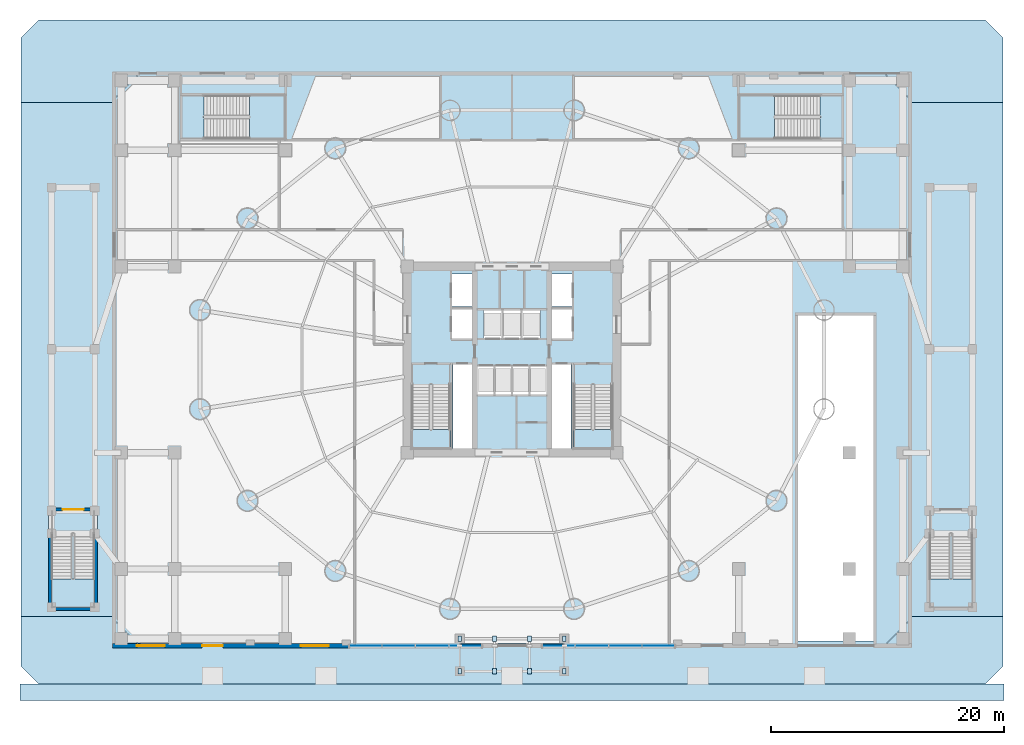
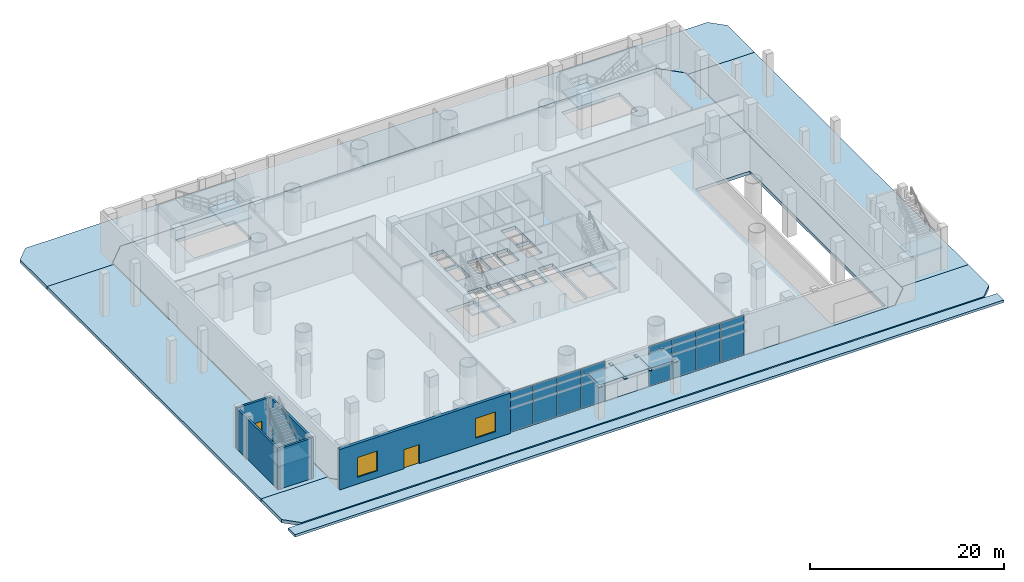
# One storey, part 8 of 25: 19 plates, 12 slabs, 5 walls, 2 doors, 2 windows, 4 openings, 8 elements without a shape of their own.
"""IFC4 building model written with IfcOpenShell, lengths in metres."""

from ifc_helpers import new_model, si_unit, direction, frame, frame_2d, origin, origin_2d, place, context, subcontext, project, spatial, polyline, rectangle, outline, extrude, source, transform, mapped, material, layer, layer_set, type_object, element, fill, aggregate, save


model = new_model("IFC4")

# Units and contexts
model_context = context("Model", 3, precision=1e-05, world=origin(), true_north=direction((-0.2419218956, 0.970295726276)))
body_context = subcontext(model_context, "Body", "Model", "MODEL_VIEW")
ifc_project = project(units=[si_unit("LENGTHUNIT", "METRE"), si_unit("AREAUNIT", "SQUARE_METRE"), si_unit("VOLUMEUNIT", "CUBIC_METRE"), si_unit("PLANEANGLEUNIT", "RADIAN"), si_unit("MASSUNIT", "GRAM", prefix="KILO")], contexts=[model_context])

# Site, building, storey
site_placement = place(None, origin())
site = spatial("IfcSite", under=ifc_project, at=site_placement, CompositionType="ELEMENT")
building_placement = place(site_placement, origin())
building = spatial("IfcBuilding", under=site, at=building_placement, Name="Cobrevalo Terracotta Tower", CompositionType="ELEMENT")
storey_placement = place(building_placement, origin())
storey = spatial("IfcBuildingStorey", under=building, at=storey_placement, Name="L00", CompositionType="ELEMENT", Elevation=0.0)

# Slab
ifc_material_1 = material(Name="Concrete C50", Category="concrete")
ifc_layer_1 = layer(ifc_material_1, 0.419921875)
ifc_layer_set_1 = layer_set([ifc_layer_1], Name="Concrete C50")
slab_type_1 = type_object("IfcSlabType", Name="L00 arrival structural transfer slab 420 mm", PredefinedType="FLOOR", material=ifc_layer_set_1)
slab_1_placement = place(storey_placement, frame((0.0, 0.0, -0.419921875)))
element("IfcSlab", 1, at=slab_1_placement, inside=storey, type_object=slab_type_1, Name="L00 podium indoor floor slab", PredefinedType="FLOOR", context=body_context, shape_type="SweptSolid", body=[
    extrude(outline(polyline([(3.800048828125, 4.39990234375), (3.800048828125, 49.199951171875), (6.0, 51.39990234375), (70.0, 51.39990234375), (72.199951171875, 49.199951171875), (72.199951171875, 4.39990234375), (70.0, 2.199951171875), (6.0, 2.199951171875), (3.800048828125, 4.39990234375)]), holes=[polyline([(29.375, 19.175048828125), (32.695068359375, 19.175048828125), (32.695068359375, 24.659912109375), (29.375, 24.659912109375), (29.375, 19.175048828125)]), polyline([(34.574951171875, 19.175048828125), (34.574951171875, 26.360107421875), (32.919921875, 26.360107421875), (32.919921875, 19.175048828125), (34.574951171875, 19.175048828125)]), polyline([(36.47998046875, 23.800048828125), (36.47998046875, 26.25), (35.050048828125, 26.25), (35.050048828125, 23.800048828125), (36.47998046875, 23.800048828125)]), polyline([(37.9599609375, 23.800048828125), (37.9599609375, 26.25), (36.530029296875, 26.25), (36.530029296875, 23.800048828125), (37.9599609375, 23.800048828125)]), polyline([(37.1201171875, 28.60009765625), (37.1201171875, 31.050048828125), (35.550048828125, 31.050048828125), (35.550048828125, 28.60009765625), (37.1201171875, 28.60009765625)]), polyline([(38.780029296875, 28.60009765625), (38.780029296875, 31.050048828125), (37.219970703125, 31.050048828125), (37.219970703125, 28.60009765625), (38.780029296875, 28.60009765625)]), polyline([(34.550048828125, 28.60009765625), (34.550048828125, 31.10009765625), (32.85009765625, 31.10009765625), (32.85009765625, 28.60009765625), (34.550048828125, 28.60009765625)]), polyline([(32.85009765625, 31.35009765625), (34.550048828125, 31.35009765625), (34.550048828125, 34.14990234375), (32.85009765625, 34.14990234375), (32.85009765625, 31.35009765625)]), polyline([(11.5400390625, 45.800048828125), (18.449951171875, 45.800048828125), (18.449951171875, 49.52001953125), (11.5400390625, 49.52001953125), (11.5400390625, 45.800048828125)]), polyline([(69.10009765625, 2.60009765625), (69.10009765625, 30.60009765625), (62.60009765625, 30.60009765625), (62.60009765625, 2.60009765625), (69.10009765625, 2.60009765625)]), polyline([(43.304931640625, 19.175048828125), (46.625, 19.175048828125), (46.625, 24.659912109375), (43.304931640625, 24.659912109375), (43.304931640625, 19.175048828125)]), polyline([(43.080078125, 19.175048828125), (43.080078125, 26.360107421875), (41.425048828125, 26.360107421875), (41.425048828125, 19.175048828125), (43.080078125, 19.175048828125)]), polyline([(39.469970703125, 23.800048828125), (39.469970703125, 26.25), (38.0400390625, 26.25), (38.0400390625, 23.800048828125), (39.469970703125, 23.800048828125)]), polyline([(40.949951171875, 23.800048828125), (40.949951171875, 26.25), (39.52001953125, 26.25), (39.52001953125, 23.800048828125), (40.949951171875, 23.800048828125)]), polyline([(40.449951171875, 28.60009765625), (40.449951171875, 31.050048828125), (38.8798828125, 31.050048828125), (38.8798828125, 28.60009765625), (40.449951171875, 28.60009765625)]), polyline([(43.14990234375, 28.60009765625), (43.14990234375, 31.10009765625), (41.449951171875, 31.10009765625), (41.449951171875, 28.60009765625), (43.14990234375, 28.60009765625)]), polyline([(41.449951171875, 31.35009765625), (43.14990234375, 31.35009765625), (43.14990234375, 34.14990234375), (41.449951171875, 34.14990234375), (41.449951171875, 31.35009765625)]), polyline([(64.4599609375, 49.52001953125), (57.550048828125, 49.52001953125), (57.550048828125, 45.800048828125), (64.4599609375, 45.800048828125), (64.4599609375, 49.52001953125)])]), origin(), (0.0, 0.0, 1.0), 0.419921875),
])

# Stair, slab
stair_type_1 = type_object("IfcStairType", Name="Core protected escape dogleg stair 1600", PredefinedType="HALF_TURN_STAIR", material=ifc_material_1)
stair_1_placement = place(storey_placement, origin())
stair_1 = element("IfcStair", 2, at=stair_1_placement, inside=storey, type_object=stair_type_1, Name="L00 Protected exit stair ST-1", PredefinedType="HALF_TURN_STAIR")
ifc_layer_2 = layer(ifc_material_1, 0.199951171875)
ifc_layer_set_2 = layer_set([ifc_layer_2], Name="Concrete C50")
slab_type_2 = type_object("IfcSlabType", Name="Reinforced Concrete Stair Landing 200", PredefinedType="LANDING", material=ifc_layer_set_2)
slab_2_placement = place(storey_placement, frame((0.0, 0.0, 2.5)))
slab_2 = element("IfcSlab", 3, at=slab_2_placement, type_object=slab_type_2, Name="ST-1 landing 1", PredefinedType="LANDING", context=body_context, shape_type="SweptSolid", body=[
    extrude(outline(polyline([(29.375, 20.780029296875), (29.375, 19.175048828125), (32.695068359375, 19.175048828125), (32.695068359375, 20.780029296875), (29.375, 20.780029296875)])), origin(), (0.0, 0.0, 1.0), 0.199951171875),
])
aggregate(stair_1, [slab_2])

stair_2_placement = place(storey_placement, origin())
stair_2 = element("IfcStair", 4, at=stair_2_placement, inside=storey, type_object=stair_type_1, Name="L00 Protected exit stair ST-2", PredefinedType="HALF_TURN_STAIR")
slab_3_placement = place(storey_placement, frame((0.0, 0.0, 2.5)))
slab_3 = element("IfcSlab", 5, at=slab_3_placement, type_object=slab_type_2, Name="ST-2 landing 1", PredefinedType="LANDING", context=body_context, shape_type="SweptSolid", body=[
    extrude(outline(polyline([(43.304931640625, 20.780029296875), (43.304931640625, 19.175048828125), (46.625, 19.175048828125), (46.625, 20.780029296875), (43.304931640625, 20.780029296875)])), origin(), (0.0, 0.0, 1.0), 0.199951171875),
])
aggregate(stair_2, [slab_3])

stair_type_2 = type_object("IfcStairType", Name="Podium concourse escape dogleg stair 1800", PredefinedType="HALF_TURN_STAIR", material=ifc_material_1)
stair_3_placement = place(storey_placement, origin())
stair_3 = element("IfcStair", 6, at=stair_3_placement, inside=storey, type_object=stair_type_2, Name="L00 Protected exit stair ST-P1", PredefinedType="HALF_TURN_STAIR")
slab_4_placement = place(storey_placement, frame((0.0, 0.0, 2.5)))
slab_4 = element("IfcSlab", 7, at=slab_4_placement, type_object=slab_type_2, Name="ST-P1 landing 1", PredefinedType="LANDING", context=body_context, shape_type="SweptSolid", body=[
    extrude(outline(polyline([(15.419921875, 45.800048828125), (18.449951171875, 45.800048828125), (18.449951171875, 49.52001953125), (15.419921875, 49.52001953125), (15.419921875, 45.800048828125)])), origin(), (0.0, 0.0, 1.0), 0.199951171875),
])
aggregate(stair_3, [slab_4])

stair_4_placement = place(storey_placement, origin())
stair_4 = element("IfcStair", 8, at=stair_4_placement, inside=storey, type_object=stair_type_2, Name="L00 Protected exit stair ST-P2", PredefinedType="HALF_TURN_STAIR")
slab_5_placement = place(storey_placement, frame((0.0, 0.0, 2.5)))
slab_5 = element("IfcSlab", 9, at=slab_5_placement, type_object=slab_type_2, Name="ST-P2 landing 1", PredefinedType="LANDING", context=body_context, shape_type="SweptSolid", body=[
    extrude(outline(polyline([(60.580078125, 49.52001953125), (57.550048828125, 49.52001953125), (57.550048828125, 45.800048828125), (60.580078125, 45.800048828125), (60.580078125, 49.52001953125)])), origin(), (0.0, 0.0, 1.0), 0.199951171875),
])
aggregate(stair_4, [slab_5])

ifc_material_2 = material(Name="Precast concrete C45", Category="concrete")
stair_type_3 = type_object("IfcStairType", Name="Monumental raised-garden dogleg stair 1850", PredefinedType="HALF_TURN_STAIR", material=ifc_material_2)
stair_5_placement = place(storey_placement, origin())
stair_5 = element("IfcStair", 10, at=stair_5_placement, inside=storey, type_object=stair_type_3, Name="L00 West monumental raised-garden stair", PredefinedType="HALF_TURN_STAIR")
slab_6_placement = place(storey_placement, frame((0.0, 0.0, 2.5)))
slab_6 = element("IfcSlab", 11, at=slab_6_placement, type_object=slab_type_2, Name="ST-EXT-W landing 1", PredefinedType="LANDING", context=body_context, shape_type="SweptSolid", body=[
    extrude(outline(polyline([(-1.60009765625, 7.929931640625), (-1.60009765625, 5.5), (2.1201171875, 5.5), (2.1201171875, 7.929931640625), (-1.60009765625, 7.929931640625)])), origin(), (0.0, 0.0, 1.0), 0.199951171875),
])
aggregate(stair_5, [slab_6])

stair_6_placement = place(storey_placement, origin())
stair_6 = element("IfcStair", 12, at=stair_6_placement, inside=storey, type_object=stair_type_3, Name="L00 East monumental raised-garden stair", PredefinedType="HALF_TURN_STAIR")
slab_7_placement = place(storey_placement, frame((0.0, 0.0, 2.5)))
slab_7 = element("IfcSlab", 13, at=slab_7_placement, type_object=slab_type_2, Name="ST-EXT-E landing 1", PredefinedType="LANDING", context=body_context, shape_type="SweptSolid", body=[
    extrude(outline(polyline([(73.8798828125, 7.929931640625), (73.8798828125, 5.5), (77.60009765625, 5.5), (77.60009765625, 7.929931640625), (73.8798828125, 7.929931640625)])), origin(), (0.0, 0.0, 1.0), 0.199951171875),
])
aggregate(stair_6, [slab_7])

# Slabs
ifc_layer_3 = layer(ifc_material_1, 0.300048828125)
ifc_layer_set_3 = layer_set([ifc_layer_3], Name="Concrete C50")
slab_type_3 = type_object("IfcSlabType", Name="South street sidewalk structural paving apron 300 mm", PredefinedType="USERDEFINED", material=ifc_layer_set_3)
slab_8_placement = place(storey_placement, frame((0.0, 0.0, -0.419921875)))
element("IfcSlab", 14, at=slab_8_placement, inside=storey, type_object=slab_type_3, Name="L00 south street sidewalk apron slab", ObjectType="PAVING", PredefinedType="USERDEFINED", context=body_context, shape_type="SweptSolid", body=[
    extrude(outline(polyline([(-4.300048828125, -2.5), (80.300048828125, -2.5), (80.300048828125, -1.10009765625), (-4.300048828125, -1.10009765625), (-4.300048828125, -2.5)])), origin(), (0.0, 0.0, 1.0), 0.2998046875),
])
ifc_layer_4 = layer(ifc_material_1, 0.419921875)
ifc_layer_set_4 = layer_set([ifc_layer_4], Name="Concrete C50")
slab_type_4 = type_object("IfcSlabType", Name="Street plaza & driveway structural paving deck 420 mm", PredefinedType="USERDEFINED", material=ifc_layer_set_4)
slab_9_placement = place(storey_placement, frame((0.0, 0.0, -0.419921875)))
element("IfcSlab", 15, at=slab_9_placement, inside=storey, type_object=slab_type_4, Name="L00 street plaza and driveway apron paving PV-S", ObjectType="PAVING", PredefinedType="USERDEFINED", context=body_context, shape_type="SweptSolid", body=[
    extrude(outline(polyline([(-4.199951171875, 4.699951171875), (3.780029296875, 4.699951171875), (3.780029296875, 4.3798828125), (5.97998046875, 2.179931640625), (70.02001953125, 2.179931640625), (72.219970703125, 4.3798828125), (72.219970703125, 4.699951171875), (80.199951171875, 4.699951171875), (80.199951171875, 0.419921875), (78.699951171875, -1.080078125), (-2.699951171875, -1.080078125), (-4.199951171875, 0.419921875), (-4.199951171875, 4.699951171875)])), origin(), (0.0, 0.0, 1.0), 0.419921875),
])
slab_10_placement = place(storey_placement, frame((0.0, 0.0, -0.419921875)))
element("IfcSlab", 16, at=slab_10_placement, inside=storey, type_object=slab_type_4, Name="L00 street plaza and driveway apron paving PV-N", ObjectType="PAVING", PredefinedType="USERDEFINED", context=body_context, shape_type="SweptSolid", body=[
    extrude(outline(polyline([(-4.199951171875, 54.5), (-2.699951171875, 56.0), (78.699951171875, 56.0), (80.199951171875, 54.5), (80.199951171875, 48.89990234375), (72.219970703125, 48.89990234375), (72.219970703125, 49.219970703125), (70.02001953125, 51.419921875), (5.97998046875, 51.419921875), (3.780029296875, 49.219970703125), (3.780029296875, 48.89990234375), (-4.199951171875, 48.89990234375), (-4.199951171875, 54.5)])), origin(), (0.0, 0.0, 1.0), 0.419921875),
])
slab_11_placement = place(storey_placement, frame((0.0, 0.0, -0.419921875)))
element("IfcSlab", 17, at=slab_11_placement, inside=storey, type_object=slab_type_4, Name="L00 street plaza and driveway apron paving PV-W", ObjectType="PAVING", PredefinedType="USERDEFINED", context=body_context, shape_type="SweptSolid", body=[
    extrude(outline(polyline([(-4.199951171875, 48.89990234375), (3.780029296875, 48.89990234375), (3.780029296875, 4.699951171875), (-4.199951171875, 4.699951171875), (-4.199951171875, 48.89990234375)])), origin(), (0.0, 0.0, 1.0), 0.419921875),
])
slab_12_placement = place(storey_placement, frame((0.0, 0.0, -0.419921875)))
element("IfcSlab", 18, at=slab_12_placement, inside=storey, type_object=slab_type_4, Name="L00 street plaza and driveway apron paving PV-E", ObjectType="PAVING", PredefinedType="USERDEFINED", context=body_context, shape_type="SweptSolid", body=[
    extrude(outline(polyline([(80.199951171875, 4.699951171875), (72.219970703125, 4.699951171875), (72.219970703125, 48.89990234375), (80.199951171875, 48.89990234375), (80.199951171875, 4.699951171875)])), origin(), (0.0, 0.0, 1.0), 0.419921875),
])

# Plates
ifc_material_3 = material(Name="Steel S355", Category="steel")
ifc_layer_5 = layer(ifc_material_3, 0.02490234375)
ifc_layer_set_5 = layer_set([ifc_layer_5], Name="Steel S355")
plate_type_1 = type_object("IfcPlateType", Name="Structural Cap Plate 480x320x25 (Steel S355)", PredefinedType="USERDEFINED", material=ifc_layer_set_5)
shared_shape_1 = source(origin(), body_context, "Body", "SweptSolid", [
    extrude(rectangle(XDim=0.47998046875, YDim=0.320068359375, at=origin_2d()), origin(), (0.0, 0.0, 1.0), 0.02490234375),
])
plate_1_placement = place(storey_placement, frame((33.5, 2.800048828125, 3.87744140625), z_axis=(0.0, 0.0, 1.0), x_axis=(0.0, 1.0, 0.0)))
element("IfcPlate", 19, at=plate_1_placement, inside=storey, type_object=plate_type_1, Name="L00 canopy outrigger rear end plate 1", ObjectType="CAP PLATE", PredefinedType="USERDEFINED", context=body_context, shape_type="MappedRepresentation", body=[
    mapped(shared_shape_1, transform((0.0, 0.0, 0.0), scale=1.0)),
])
ifc_layer_6 = layer(ifc_material_3, 0.02490234375)
ifc_layer_set_6 = layer_set([ifc_layer_6], Name="Steel S355")
plate_type_2 = type_object("IfcPlateType", Name="Structural Canopy Tip Cap Plate 480x320x25 (Steel S355)", PredefinedType="USERDEFINED", material=ifc_layer_set_6)
plate_2_placement = place(storey_placement, frame((33.5, 0.0, 3.87744140625), z_axis=(0.0, 0.0, 1.0), x_axis=(0.0, 1.0, 0.0)))
element("IfcPlate", 20, at=plate_2_placement, inside=storey, type_object=plate_type_2, Name="L00 canopy outrigger tip cap plate 1", ObjectType="CAP PLATE", PredefinedType="USERDEFINED", context=body_context, shape_type="MappedRepresentation", body=[
    mapped(shared_shape_1, transform((0.0, 0.0, 0.0), scale=1.0)),
])
plate_3_placement = place(storey_placement, frame((36.5, 2.800048828125, 3.87744140625), z_axis=(0.0, 0.0, 1.0), x_axis=(0.0, 1.0, 0.0)))
element("IfcPlate", 21, at=plate_3_placement, inside=storey, type_object=plate_type_1, Name="L00 canopy outrigger rear end plate 2", ObjectType="CAP PLATE", PredefinedType="USERDEFINED", context=body_context, shape_type="MappedRepresentation", body=[
    mapped(shared_shape_1, transform((0.0, 0.0, 0.0), scale=1.0)),
])
plate_4_placement = place(storey_placement, frame((36.5, 0.0, 3.87744140625), z_axis=(0.0, 0.0, 1.0), x_axis=(0.0, 1.0, 0.0)))
element("IfcPlate", 22, at=plate_4_placement, inside=storey, type_object=plate_type_2, Name="L00 canopy outrigger tip cap plate 2", ObjectType="CAP PLATE", PredefinedType="USERDEFINED", context=body_context, shape_type="MappedRepresentation", body=[
    mapped(shared_shape_1, transform((0.0, 0.0, 0.0), scale=1.0)),
])
plate_5_placement = place(storey_placement, frame((39.5, 2.800048828125, 3.87744140625), z_axis=(0.0, 0.0, 1.0), x_axis=(0.0, 1.0, 0.0)))
element("IfcPlate", 23, at=plate_5_placement, inside=storey, type_object=plate_type_1, Name="L00 canopy outrigger rear end plate 3", ObjectType="CAP PLATE", PredefinedType="USERDEFINED", context=body_context, shape_type="MappedRepresentation", body=[
    mapped(shared_shape_1, transform((0.0, 0.0, 0.0), scale=1.0)),
])
plate_6_placement = place(storey_placement, frame((39.5, 0.0, 3.87744140625), z_axis=(0.0, 0.0, 1.0), x_axis=(0.0, 1.0, 0.0)))
element("IfcPlate", 24, at=plate_6_placement, inside=storey, type_object=plate_type_2, Name="L00 canopy outrigger tip cap plate 3", ObjectType="CAP PLATE", PredefinedType="USERDEFINED", context=body_context, shape_type="MappedRepresentation", body=[
    mapped(shared_shape_1, transform((0.0, 0.0, 0.0), scale=1.0)),
])
plate_7_placement = place(storey_placement, frame((42.5, 2.800048828125, 3.87744140625), z_axis=(0.0, 0.0, 1.0), x_axis=(0.0, 1.0, 0.0)))
element("IfcPlate", 25, at=plate_7_placement, inside=storey, type_object=plate_type_1, Name="L00 canopy outrigger rear end plate 4", ObjectType="CAP PLATE", PredefinedType="USERDEFINED", context=body_context, shape_type="MappedRepresentation", body=[
    mapped(shared_shape_1, transform((0.0, 0.0, 0.0), scale=1.0)),
])
plate_8_placement = place(storey_placement, frame((42.5, 0.0, 3.87744140625), z_axis=(0.0, 0.0, 1.0), x_axis=(0.0, 1.0, 0.0)))
element("IfcPlate", 26, at=plate_8_placement, inside=storey, type_object=plate_type_2, Name="L00 canopy outrigger tip cap plate 4", ObjectType="CAP PLATE", PredefinedType="USERDEFINED", context=body_context, shape_type="MappedRepresentation", body=[
    mapped(shared_shape_1, transform((0.0, 0.0, 0.0), scale=1.0)),
])

# Curtain wall, plates
ifc_material_4 = material(Name="Anodized aluminium", Category="aluminium")
curtain_wall_type = type_object("IfcCurtainWallType", Name="Double-height storefront stick curtain wall CW-S1", PredefinedType="NOTDEFINED", material=ifc_material_4)
curtain_wall_1_placement = place(storey_placement, origin())
curtain_wall_1 = element("IfcCurtainWall", 27, at=curtain_wall_1_placement, inside=storey, type_object=curtain_wall_type, Name="L00 curtain wall CW-L00-S-LOB1", PredefinedType="NOTDEFINED")
ifc_material_5 = material(Name="Laminated low-E double glazing", Category="glass")
ifc_layer_7 = layer(ifc_material_5, 0.031982421875)
ifc_layer_set_7 = layer_set([ifc_layer_7], Name="Laminated low-E double glazing")
plate_type_3 = type_object("IfcPlateType", Name="Podium clear acoustic laminated glazing panel 32 mm", PredefinedType="CURTAIN_PANEL", material=ifc_layer_set_7)
shared_shape_2 = source(origin(), body_context, "Body", "SweptSolid", [
    extrude(rectangle(XDim=2.7548828125, YDim=0.035888671875, at=origin_2d()), origin(), (0.0, 0.0, 1.0), 5.02001953125),
])
plate_9_placement = place(storey_placement, frame((25.407470703125, 2.199951171875, 0.0400390625), z_axis=(0.0, 0.0, 1.0), x_axis=(1.0, 0.0, 0.0)))
plate_9 = element("IfcPlate", 28, at=plate_9_placement, type_object=plate_type_3, Name="CW-L00-S-LOB1 glazing panel B01", PredefinedType="CURTAIN_PANEL", context=body_context, shape_type="MappedRepresentation", body=[
    mapped(shared_shape_2, transform((0.0, 0.0, 0.0), scale=1.0)),
])
plate_10_placement = place(storey_placement, frame((33.992431640625, 2.199951171875, 0.0400390625), z_axis=(0.0, 0.0, 1.0), x_axis=(1.0, 0.0, 0.0)))
plate_10 = element("IfcPlate", 29, at=plate_10_placement, type_object=plate_type_3, Name="CW-L00-S-LOB1 glazing panel B04", PredefinedType="CURTAIN_PANEL", context=body_context, shape_type="MappedRepresentation", body=[
    mapped(shared_shape_2, transform((0.0, 0.0, 0.0), scale=1.0)),
])

curtain_wall_2_placement = place(storey_placement, origin())
curtain_wall_2 = element("IfcCurtainWall", 30, at=curtain_wall_2_placement, inside=storey, type_object=curtain_wall_type, Name="L00 curtain wall CW-L00-S-LOB2", PredefinedType="NOTDEFINED")
plate_11_placement = place(storey_placement, frame((42.007568359375, 2.199951171875, 0.0400390625), z_axis=(0.0, 0.0, 1.0), x_axis=(1.0, 0.0, 0.0)))
plate_11 = element("IfcPlate", 31, at=plate_11_placement, type_object=plate_type_3, Name="CW-L00-S-LOB2 glazing panel B01", PredefinedType="CURTAIN_PANEL", context=body_context, shape_type="MappedRepresentation", body=[
    mapped(shared_shape_2, transform((0.0, 0.0, 0.0), scale=1.0)),
])
plate_12_placement = place(storey_placement, frame((50.592529296875, 2.199951171875, 0.0400390625), z_axis=(0.0, 0.0, 1.0), x_axis=(1.0, 0.0, 0.0)))
plate_12 = element("IfcPlate", 32, at=plate_12_placement, type_object=plate_type_3, Name="CW-L00-S-LOB2 glazing panel B04", PredefinedType="CURTAIN_PANEL", context=body_context, shape_type="MappedRepresentation", body=[
    mapped(shared_shape_2, transform((0.0, 0.0, 0.0), scale=1.0)),
])

# Plate
shared_shape_3 = source(origin(), body_context, "Body", "SweptSolid", [
    extrude(rectangle(XDim=2.794921875, YDim=0.035888671875, at=origin_2d()), origin(), (0.0, 0.0, 1.0), 5.02001953125),
])
plate_13_placement = place(storey_placement, frame((28.262451171875, 2.199951171875, 0.0400390625), z_axis=(0.0, 0.0, 1.0), x_axis=(1.0, 0.0, 0.0)))
plate_13 = element("IfcPlate", 33, at=plate_13_placement, type_object=plate_type_3, Name="CW-L00-S-LOB1 glazing panel B02", PredefinedType="CURTAIN_PANEL", context=body_context, shape_type="MappedRepresentation", body=[
    mapped(shared_shape_3, transform((0.0, 0.0, 0.0), scale=1.0)),
])

plate_14_placement = place(storey_placement, frame((31.137451171875, 2.199951171875, 0.0400390625), z_axis=(0.0, 0.0, 1.0), x_axis=(1.0, 0.0, 0.0)))
plate_14 = element("IfcPlate", 34, at=plate_14_placement, type_object=plate_type_3, Name="CW-L00-S-LOB1 glazing panel B03", PredefinedType="CURTAIN_PANEL", context=body_context, shape_type="MappedRepresentation", body=[
    mapped(shared_shape_3, transform((0.0, 0.0, 0.0), scale=1.0)),
])

aggregate(curtain_wall_1, [plate_9, plate_13, plate_14, plate_10])

plate_15_placement = place(storey_placement, frame((44.862548828125, 2.199951171875, 0.0400390625), z_axis=(0.0, 0.0, 1.0), x_axis=(1.0, 0.0, 0.0)))
plate_15 = element("IfcPlate", 35, at=plate_15_placement, type_object=plate_type_3, Name="CW-L00-S-LOB2 glazing panel B02", PredefinedType="CURTAIN_PANEL", context=body_context, shape_type="MappedRepresentation", body=[
    mapped(shared_shape_3, transform((0.0, 0.0, 0.0), scale=1.0)),
])

plate_16_placement = place(storey_placement, frame((47.737548828125, 2.199951171875, 0.0400390625), z_axis=(0.0, 0.0, 1.0), x_axis=(1.0, 0.0, 0.0)))
plate_16 = element("IfcPlate", 36, at=plate_16_placement, type_object=plate_type_3, Name="CW-L00-S-LOB2 glazing panel B03", PredefinedType="CURTAIN_PANEL", context=body_context, shape_type="MappedRepresentation", body=[
    mapped(shared_shape_3, transform((0.0, 0.0, 0.0), scale=1.0)),
])

aggregate(curtain_wall_2, [plate_11, plate_15, plate_16, plate_12])

# Plates
ifc_material_6 = material(Name="Frit-patterned laminated canopy glass", Category="glass")
ifc_layer_8 = layer(ifc_material_6, 0.035888671875)
ifc_layer_set_8 = layer_set([ifc_layer_8], Name="Frit-patterned laminated canopy glass")
plate_type_4 = type_object("IfcPlateType", Name="Entrance canopy fritted laminated glass panel 36 mm", PredefinedType="USERDEFINED", material=ifc_layer_set_8)
shared_shape_4 = source(origin(), body_context, "Body", "SweptSolid", [
    extrude(rectangle(XDim=3.050048828125, YDim=2.39990234375, at=origin_2d()), origin(), (0.0, 0.0, 1.0), 0.035888671875),
])
for number, where, z_axis, x_axis, name in (
    (37, (35.0, 1.14990234375, 4.0322265625), (0.0, 0.0, 1.0), (1.0, 0.0, 0.0), "L00 main entrance canopy glass 1"),
    (38, (38.0, 1.14990234375, 4.0322265625), (0.0, 0.0, 1.0), (1.0, 0.0, 0.0), "L00 main entrance canopy glass 2"),
    (39, (41.0, 1.14990234375, 4.0322265625), (0.0, 0.0, 1.0), (1.0, 0.0, 0.0), "L00 main entrance canopy glass 3"),
):
    element("IfcPlate", number, at=place(storey_placement, frame(where, z_axis=z_axis, x_axis=x_axis)), inside=storey, type_object=plate_type_4, Name=name, ObjectType="CANOPY_GLASS", PredefinedType="USERDEFINED", context=body_context, shape_type="MappedRepresentation", body=[
        mapped(shared_shape_4, transform((0.0, 0.0, 0.0), scale=1.0)),
    ])

# Wall, openings, door, windows
ifc_material_7 = material(Name="Concrete C45", Category="concrete")
ifc_layer_9 = layer(ifc_material_7, 0.35009765625)
ifc_layer_set_9 = layer_set([ifc_layer_9], Name="Concrete C45")
wall_type_1 = type_object("IfcWallType", Name="Board-marked precast architectural concrete facade wall 350 mm", PredefinedType="SOLIDWALL", material=ifc_layer_set_9)
wall_1_placement = place(storey_placement, frame((3.64990234375, 2.199951171875, 0.0), z_axis=(0.0, 0.0, 1.0), x_axis=(1.0, 0.0, 0.0)))
wall_1 = element("IfcWall", 40, at=wall_1_placement, inside=storey, type_object=wall_type_1, Name="L00 south-west retail facade wall", PredefinedType="SOLIDWALL", context=body_context, shape_type="SweptSolid", body=[
    extrude(rectangle(XDim=20.35009765625, YDim=0.35009765625, at=frame_2d((10.175048828125, 0.0))), origin(), (0.0, 0.0, 1.0), 5.10009765625),
])
opening_1_placement = place(wall_1_placement, frame((7.699951171875, 0.0, 0.0)))
opening_1 = element("IfcOpeningElement", 41, at=opening_1_placement, cuts=wall_1, Name="Opening ED-08", PredefinedType="OPENING", context=body_context, shape_type="SweptSolid", body=[
    extrude(rectangle(XDim=1.800048828125, YDim=2.39990234375, at=frame_2d((0.89990234375, 1.199951171875))), frame((0.0, 0.18505859375, 0.0), z_axis=(0.0, -1.0, 0.0), x_axis=(1.0, 0.0, 0.0)), (0.0, 0.0, 1.0), 0.3701171875),
])
opening_2_placement = place(wall_1_placement, frame((2.10009765625, 0.0, 0.85009765625)))
opening_2 = element("IfcOpeningElement", 42, at=opening_2_placement, cuts=wall_1, Name="Opening WN-13", PredefinedType="OPENING", context=body_context, shape_type="SweptSolid", body=[
    extrude(rectangle(XDim=2.39990234375, YDim=2.5, at=frame_2d((1.199951171875, 1.25))), frame((0.0, 0.18505859375, 0.0), z_axis=(0.0, -1.0, 0.0), x_axis=(1.0, 0.0, 0.0)), (0.0, 0.0, 1.0), 0.3701171875),
])
opening_3_placement = place(wall_1_placement, frame((16.199951171875, 0.0, 0.85009765625)))
opening_3 = element("IfcOpeningElement", 43, at=opening_3_placement, cuts=wall_1, Name="Opening WN-13", PredefinedType="OPENING", context=body_context, shape_type="SweptSolid", body=[
    extrude(rectangle(XDim=2.39990234375, YDim=2.5, at=frame_2d((1.199951171875, 1.25))), frame((0.0, 0.18505859375, 0.0), z_axis=(0.0, -1.0, 0.0), x_axis=(1.0, 0.0, 0.0)), (0.0, 0.0, 1.0), 0.3701171875),
])
ifc_material_8 = material(Name="Anodized aluminium and laminated glass", Category="aluminium")
door_type = type_object("IfcDoorType", Name="Retail & garden terrace double glazed door 1800x2400", OperationType="NOTDEFINED", PredefinedType="DOOR", material=ifc_material_8)
shared_shape_5 = source(origin(), body_context, "Body", "SweptSolid", [
    extrude(rectangle(XDim=1.800048828125, YDim=2.39990234375, at=frame_2d((0.89990234375, 1.199951171875))), frame((0.0, 0.02490234375, 0.0), z_axis=(0.0, -1.0, 0.0), x_axis=(1.0, 0.0, 0.0)), (0.0, 0.0, 1.0), 0.050048828125),
])
door_1_placement = place(opening_1_placement, frame((1.800048828125, 0.0, 0.0), z_axis=(0.0, 0.0, 1.0), x_axis=(-1.0, 0.0, 0.0)))
door_1 = element("IfcDoor", 44, at=door_1_placement, inside=storey, type_object=door_type, Name="L00 south-west retail promenade entrance D-EX01", OperationType="DOUBLE_DOOR_SINGLE_SWING", OverallHeight=2.39990234375, OverallWidth=1.800048828125, PredefinedType="DOOR", context=body_context, shape_type="MappedRepresentation", body=[
    mapped(shared_shape_5, transform((0.0, 0.0, 0.0), scale=1.0)),
])
fill(opening_1, door_1)
ifc_material_9 = material(Name="Solar-control low-E double glazing", Category="glass")
window_type = type_object("IfcWindowType", Name="Podium gallery bronze-anodized window 2400x2500", PartitioningType="SINGLE_PANEL", PredefinedType="WINDOW", material=ifc_material_9)
shared_shape_6 = source(origin(), body_context, "Body", "SweptSolid", [
    extrude(rectangle(XDim=2.39990234375, YDim=2.5, at=frame_2d((1.199951171875, 1.25))), frame((0.0, 0.030029296875, 0.0), z_axis=(0.0, -1.0, 0.0), x_axis=(1.0, 0.0, 0.0)), (0.0, 0.0, 1.0), 0.06005859375),
])
window_1_placement = place(opening_2_placement, origin())
window_1 = element("IfcWindow", 45, at=window_1_placement, inside=storey, type_object=window_type, Name="L00 south-west retail display window 1", OverallHeight=2.5, OverallWidth=2.39990234375, PartitioningType="SINGLE_PANEL", PredefinedType="WINDOW", context=body_context, shape_type="MappedRepresentation", body=[
    mapped(shared_shape_6, transform((0.0, 0.0, 0.0), scale=1.0)),
])
fill(opening_2, window_1)
window_2_placement = place(opening_3_placement, origin())
window_2 = element("IfcWindow", 46, at=window_2_placement, inside=storey, type_object=window_type, Name="L00 south-west retail display window 2", OverallHeight=2.5, OverallWidth=2.39990234375, PartitioningType="SINGLE_PANEL", PredefinedType="WINDOW", context=body_context, shape_type="MappedRepresentation", body=[
    mapped(shared_shape_6, transform((0.0, 0.0, 0.0), scale=1.0)),
])
fill(opening_3, window_2)

# Walls
ifc_layer_10 = layer(ifc_material_1, 0.25)
ifc_layer_set_10 = layer_set([ifc_layer_10], Name="Concrete C50")
wall_type_2 = type_object("IfcWallType", Name="Exterior raised-garden stair shaft RC wall 250 mm Concrete C50", PredefinedType="SOLIDWALL", material=ifc_layer_set_10)
for number, where, z_axis, x_axis, name in (
    (47, (-1.72509765625, 5.25, 0.0), (0.0, 0.0, 1.0), (0.0, 1.0, 0.0), "L00 West monumental raised-garden stair structural shaft wall W"),
    (48, (2.2451171875, 5.25, 0.0), (0.0, 0.0, 1.0), (0.0, 1.0, 0.0), "L00 West monumental raised-garden stair structural shaft wall E"),
):
    element("IfcWall", number, at=place(storey_placement, frame(where, z_axis=z_axis, x_axis=x_axis)), inside=storey, type_object=wall_type_2, Name=name, PredefinedType="SOLIDWALL", context=body_context, shape_type="SweptSolid", body=[
        extrude(rectangle(XDim=8.675048828125, YDim=0.25, at=frame_2d((4.33740234375, 0.0))), origin(), (0.0, 0.0, 1.0), 5.10009765625),
    ])
wall_2_placement = place(storey_placement, frame((-1.85009765625, 5.375, 0.0), z_axis=(0.0, 0.0, 1.0), x_axis=(1.0, 0.0, 0.0)))
element("IfcWall", 49, at=wall_2_placement, inside=storey, type_object=wall_type_2, Name="L00 West monumental raised-garden stair structural shaft wall S", PredefinedType="SOLIDWALL", context=body_context, shape_type="SweptSolid", body=[
    extrude(rectangle(XDim=4.22021484375, YDim=0.25, at=frame_2d((2.110107421875, 0.0))), origin(), (0.0, 0.0, 1.0), 5.10009765625),
])

# Wall, opening, door
wall_3_placement = place(storey_placement, frame((-1.85009765625, 13.925048828125, 0.0), z_axis=(0.0, 0.0, 1.0), x_axis=(1.0, 0.0, 0.0)))
wall_3 = element("IfcWall", 50, at=wall_3_placement, inside=storey, type_object=wall_type_2, Name="L00 West monumental raised-garden stair structural shaft wall N", PredefinedType="SOLIDWALL", context=body_context, shape_type="SweptSolid", body=[
    extrude(rectangle(XDim=4.22021484375, YDim=0.25, at=frame_2d((2.110107421875, 0.0))), origin(), (0.0, 0.0, 1.0), 5.10009765625),
])
opening_4_placement = place(wall_3_placement, frame((1.2099609375, 0.0, 0.0)))
opening_4 = element("IfcOpeningElement", 51, at=opening_4_placement, cuts=wall_3, Name="Opening ED-08", PredefinedType="OPENING", context=body_context, shape_type="SweptSolid", body=[
    extrude(rectangle(XDim=1.800048828125, YDim=2.39990234375, at=frame_2d((0.89990234375, 1.199951171875))), frame((0.0, 0.135009765625, 0.0), z_axis=(0.0, -1.0, 0.0), x_axis=(1.0, 0.0, 0.0)), (0.0, 0.0, 1.0), 0.27001953125),
])
door_2_placement = place(opening_4_placement, origin())
door_2 = element("IfcDoor", 52, at=door_2_placement, inside=storey, type_object=door_type, Name="L00 external garden plaza double door (ST-EXT-W)", OperationType="DOUBLE_DOOR_SINGLE_SWING", OverallHeight=2.39990234375, OverallWidth=1.800048828125, PredefinedType="DOOR", context=body_context, shape_type="MappedRepresentation", body=[
    mapped(shared_shape_5, transform((0.0, 0.0, 0.0), scale=1.0)),
])
fill(opening_4, door_2)

save(model, "model.ifc")
